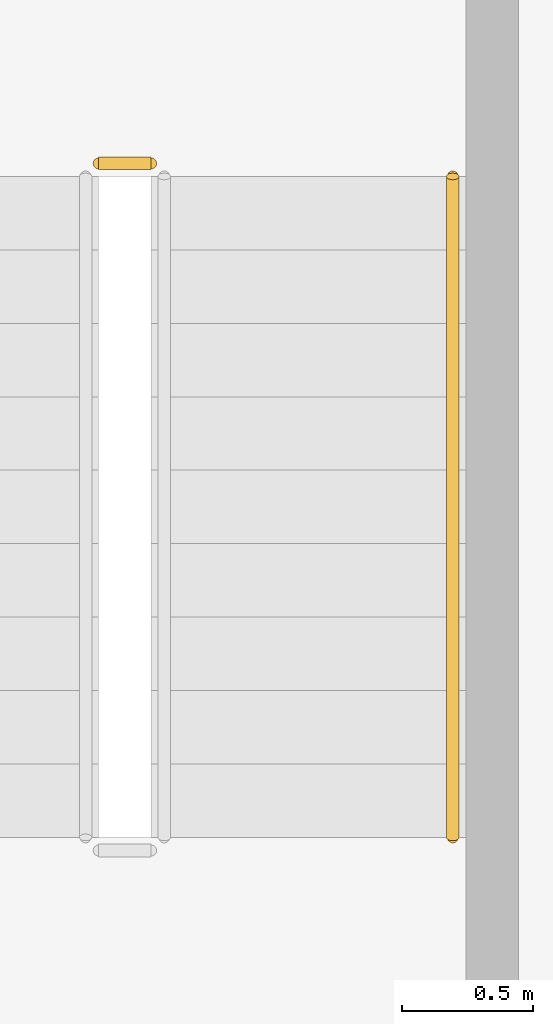
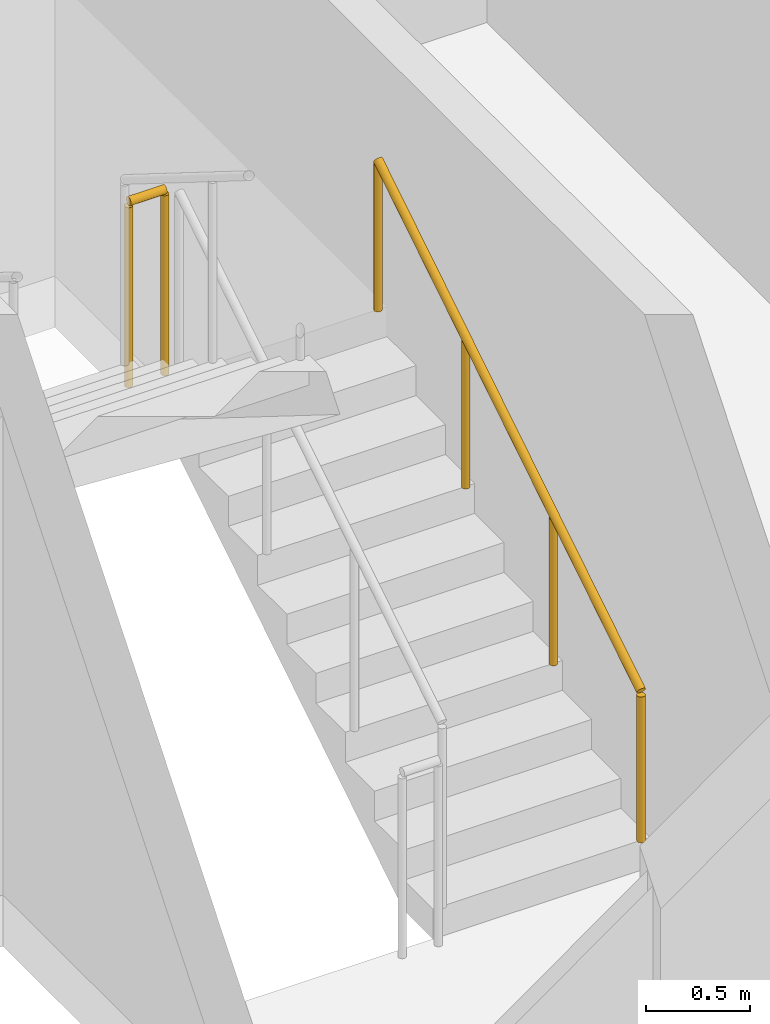
# One storey, part 17 of 22: 2 railings.
"""IFC4 building model written with IfcOpenShell, lengths in metres."""

from ifc_helpers import new_model, si_unit, direction, frame, origin, origin_2d, place, context, subcontext, project, spatial, circle, extrude, material, type_object, element, save


model = new_model("IFC4")

# Units and contexts
model_context = context("Model", 3, precision=1e-05, world=origin(), true_north=direction((0.0, 1.0)))
body_context = subcontext(model_context, "Body", "Model", "MODEL_VIEW")
ifc_project = project(units=[si_unit("LENGTHUNIT", "METRE"), si_unit("AREAUNIT", "SQUARE_METRE"), si_unit("VOLUMEUNIT", "CUBIC_METRE"), si_unit("PLANEANGLEUNIT", "RADIAN"), si_unit("MASSUNIT", "GRAM", prefix="KILO")], contexts=[model_context])

# Site, building, storey
site_placement = place(None, origin())
site = spatial("IfcSite", under=ifc_project, at=site_placement, CompositionType="ELEMENT")
building_placement = place(site_placement, origin())
building = spatial("IfcBuilding", under=site, at=building_placement, Name="Kiln Ring Residences", CompositionType="ELEMENT")
storey_placement = place(building_placement, frame((0.0, 0.0, 167.60009765625)))
storey = spatial("IfcBuildingStorey", under=building, at=storey_placement, Name="L43", CompositionType="ELEMENT", Elevation=167.60009765625)

# Railings
ifc_material_1 = material(Name="Stainless steel", Category="steel")
railing_type_1 = type_object("IfcRailingType", Name="CORE-STAIR-GUARD", PredefinedType="GUARDRAIL", material=ifc_material_1)
railing_1_placement = place(storey_placement, frame((22.199951171875, -5.830078125, 1.75)))
element("IfcRailing", 1, at=railing_1_placement, inside=storey, type_object=railing_type_1, Name="L43 E-STS stair guard 2", PredefinedType="GUARDRAIL", context=body_context, shape_type="SweptSolid", body=[
    extrude(circle(Radius=0.02392578125, at=origin_2d()), frame((0.0, 0.0, 1.076171875), z_axis=(-1.0, 0.0, 0.0), x_axis=(0.0, -1.0, 0.0)), (0.0, 0.0, 1.0), 0.199951171875),
    extrude(circle(Radius=0.02099609375, at=origin_2d()), origin(), (0.0, 0.0, 1.0), 1.052001953125),
    extrude(circle(Radius=0.02099609375, at=origin_2d()), frame((-0.199951171875, 0.0, 0.0)), (0.0, 0.0, 1.0), 1.052001953125),
])
ifc_material_2 = material(Name="Stainless steel", Category="steel")
railing_type_2 = type_object("IfcRailingType", Name="CORE-STAIR-HANDRAIL", PredefinedType="HANDRAIL", material=ifc_material_2)
railing_2_placement = place(storey_placement, frame((23.35009765625, -8.39990234375, 0.1748046875)))
element("IfcRailing", 2, at=railing_2_placement, inside=storey, type_object=railing_type_2, Name="L43 E-STS stair handrail 1", PredefinedType="HANDRAIL", context=body_context, shape_type="SweptSolid", body=[
    extrude(circle(Radius=0.02392578125, at=origin_2d()), frame((0.0, 0.0, 0.8759765625), z_axis=(0.0, 0.847970611238, 0.530043245855), x_axis=(-1.0, 0.0, 0.0)), (0.0, 0.0, 1.0), 2.971923828125),
    extrude(circle(Radius=0.02099609375, at=origin_2d()), origin(), (0.0, 0.0, 1.0), 0.851806640625),
    extrude(circle(Radius=0.02099609375, at=origin_2d()), frame((0.0, 0.840087890625, 0.525146484375)), (0.0, 0.0, 1.0), 0.851806640625),
    extrude(circle(Radius=0.02099609375, at=origin_2d()), frame((0.0, 1.679931640625, 1.050048828125)), (0.0, 0.0, 1.0), 0.851806640625),
    extrude(circle(Radius=0.02099609375, at=origin_2d()), frame((0.0, 2.52001953125, 1.5751953125)), (0.0, 0.0, 1.0), 0.851806640625),
])

save(model, "model.ifc")
